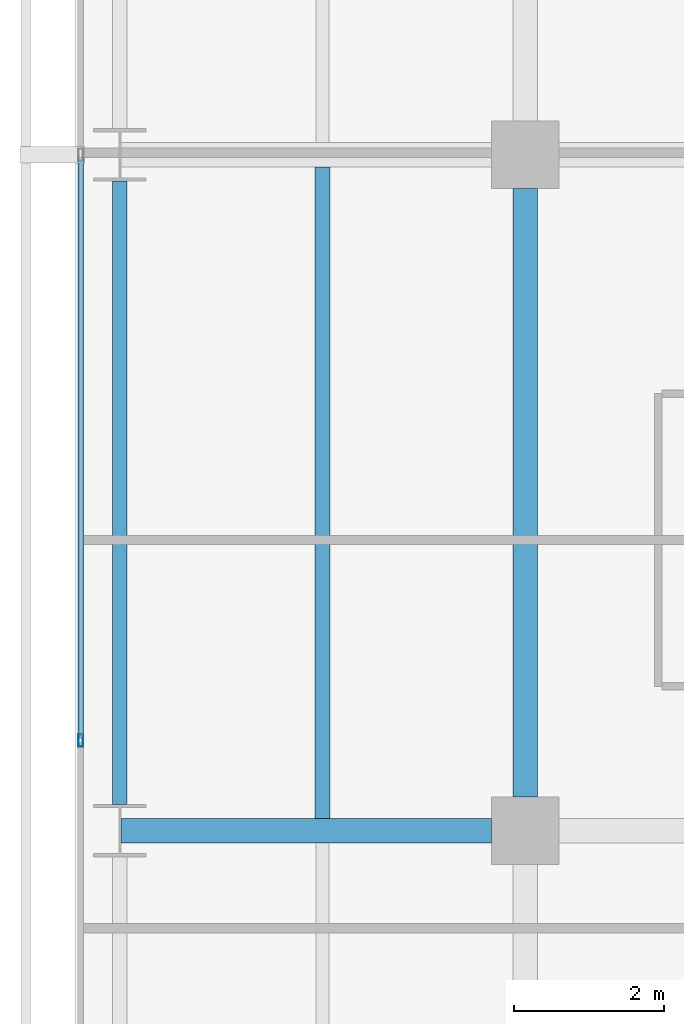
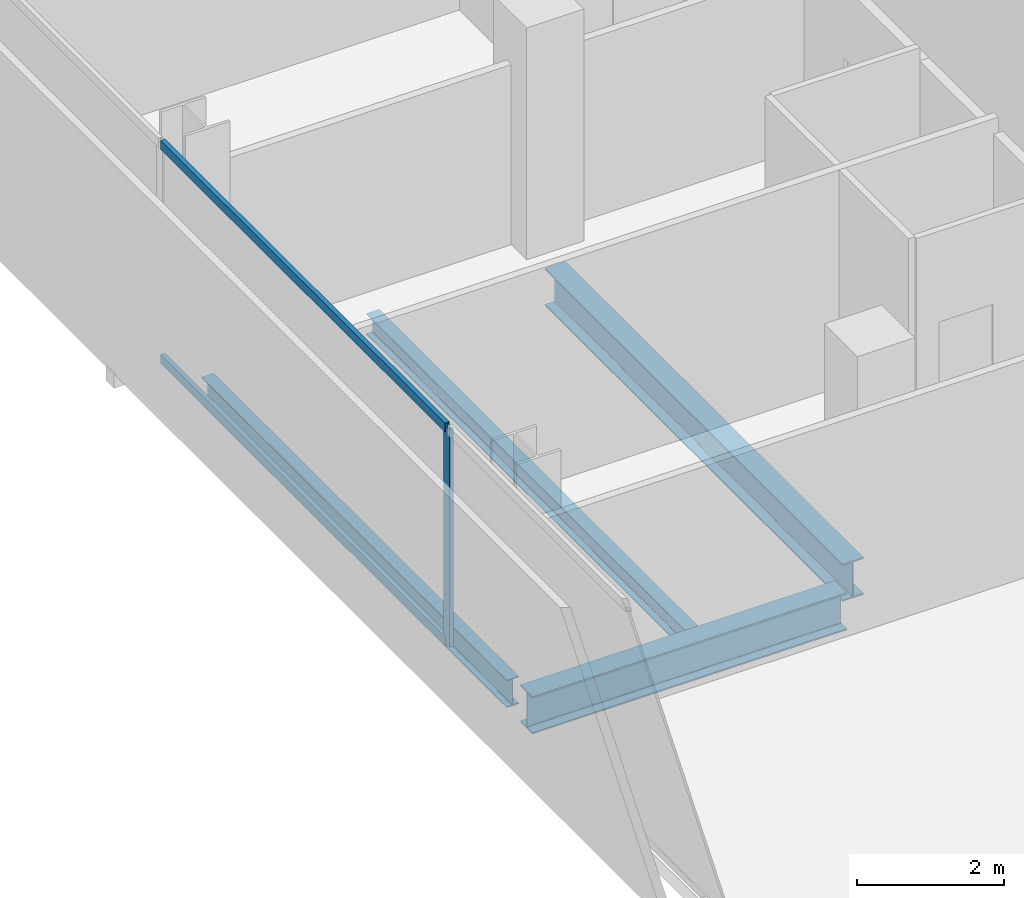
# One storey, part 10 of 40: 4 beams, 3 members, 1 element without a shape of its own.
"""IFC4 building model written with IfcOpenShell, lengths in metres."""

from ifc_helpers import new_model, si_unit, direction, frame, origin, origin_2d, place, context, subcontext, project, spatial, hollow_rectangle, i_section, extrude, material, layer, layer_set, material_profile, profile_set, type_object, element, aggregate, save


model = new_model("IFC4")

# Units and contexts
model_context = context("Model", 3, precision=1e-05, world=origin(), true_north=direction((0.0, 1.0)))
body_context = subcontext(model_context, "Body", "Model", "MODEL_VIEW")
ifc_project = project(units=[si_unit("LENGTHUNIT", "METRE"), si_unit("AREAUNIT", "SQUARE_METRE"), si_unit("VOLUMEUNIT", "CUBIC_METRE"), si_unit("PLANEANGLEUNIT", "RADIAN"), si_unit("MASSUNIT", "GRAM", prefix="KILO")], contexts=[model_context])

# Site, building, storey
site_placement = place(None, origin())
site = spatial("IfcSite", under=ifc_project, at=site_placement, CompositionType="ELEMENT")
building_placement = place(site_placement, origin())
building = spatial("IfcBuilding", under=site, at=building_placement, Name="Maruvema Waterfront Hotel and Observation Tower", CompositionType="ELEMENT")
storey_placement = place(building_placement, frame((0.0, 0.0, 42.35009765625)))
storey = spatial("IfcBuildingStorey", under=building, at=storey_placement, Name="L09", CompositionType="ELEMENT", Elevation=42.35009765625)

# Curtain wall, members
ifc_material_1 = material(Name="Anodised bronze aluminium and solar-control low-E IGU", Category="aluminium")
ifc_layer = layer(ifc_material_1, 0.159912109375, Name="Zone 1 Bronze Inner Thermal Curtain Wall System CW-02")
ifc_layer_set = layer_set([ifc_layer], Name="Anodised bronze aluminium and solar-control low-E IGU")
curtain_wall_type = type_object("IfcCurtainWallType", Name="Zone 1 Bronze Inner Thermal Curtain Wall System CW-02", PredefinedType="USERDEFINED", material=ifc_layer_set)
curtain_wall_placement = place(storey_placement, origin())
curtain_wall = element("IfcCurtainWall", 1, at=curtain_wall_placement, inside=storey, type_object=curtain_wall_type, Name="L09 Curtain Wall CW-L09-W", ObjectType="UNITISED CURTAIN WALL", PredefinedType="USERDEFINED")
ifc_material_2 = material(Name="Anodised architectural bronze aluminium", Category="aluminium")
ifc_material_profile_1 = material_profile(ifc_material_2, hollow_rectangle(XDim=0.070068359375, YDim=0.14990234375, WallThickness=0.00390625, at=origin_2d()), Name="ALU-T70x150")
ifc_profile_set_1 = profile_set([ifc_material_profile_1], Name="Anodised architectural bronze aluminium")
member_type_1 = type_object("IfcMemberType", Name="Curtain Wall Horizontal Transom ALU-T70x150", PredefinedType="USERDEFINED", material=ifc_profile_set_1)
member_1_placement = place(storey_placement, frame((10.8798828125, 26.969970703125, 0.02978515625), z_axis=(0.0, -1.0, 0.0), x_axis=(1.0, 0.0, 0.0)))
member_1 = element("IfcMember", 2, at=member_1_placement, type_object=member_type_1, Name="CW-02 transom 4.1", ObjectType="TRANSOM", PredefinedType="USERDEFINED", context=body_context, shape_type="SweptSolid", body=[
    extrude(hollow_rectangle(XDim=0.070068359375, YDim=0.14990234375, WallThickness=0.00390625, at=origin_2d()), origin(), (0.0, 0.0, 1.0), 7.739990234375),
])
member_2_placement = place(storey_placement, frame((10.8798828125, 26.969970703125, 3.579833984375), z_axis=(0.0, -1.0, 0.0), x_axis=(1.0, 0.0, 0.0)))
member_2 = element("IfcMember", 3, at=member_2_placement, type_object=member_type_1, Name="CW-02 transom 4.2", ObjectType="TRANSOM", PredefinedType="USERDEFINED", context=body_context, shape_type="SweptSolid", body=[
    extrude(hollow_rectangle(XDim=0.070068359375, YDim=0.14990234375, WallThickness=0.00390625, at=origin_2d()), origin(), (0.0, 0.0, 1.0), 7.739990234375),
])
ifc_material_3 = material(Name="Anodised architectural bronze aluminium", Category="aluminium")
ifc_material_profile_2 = material_profile(ifc_material_3, hollow_rectangle(XDim=0.06494140625, YDim=0.1650390625, WallThickness=0.00390625, at=origin_2d()), Name="ALU-M65x165")
ifc_profile_set_2 = profile_set([ifc_material_profile_2], Name="Anodised architectural bronze aluminium")
member_type_2 = type_object("IfcMemberType", Name="Curtain Wall Primary Mullion ALU-M65x165", PredefinedType="MULLION", material=ifc_profile_set_2)
member_3_placement = place(storey_placement, frame((10.8798828125, 19.199951171875, 0.0), z_axis=(0.0, 0.0, 1.0), x_axis=(1.0, 0.0, 0.0)))
member_3 = element("IfcMember", 4, at=member_3_placement, type_object=member_type_2, Name="CW-02 mullion 5", PredefinedType="MULLION", context=body_context, shape_type="SweptSolid", body=[
    extrude(hollow_rectangle(XDim=0.06494140625, YDim=0.1650390625, WallThickness=0.00390625, at=origin_2d()), origin(), (0.0, 0.0, 1.0), 3.60986328125),
])
aggregate(curtain_wall, [member_3, member_1, member_2])

# Beams
ifc_material_4 = material(Name="Steel ASTM A572 Grade 50", Category="steel")
ifc_material_profile_3 = material_profile(ifc_material_4, i_section(OverallWidth=0.18994140625, OverallDepth=0.45703125, WebThickness=0.009033203125, FlangeThickness=0.014404296875, FilletRadius=0.014892578125, at=origin_2d()), Name="W460x74.0")
ifc_profile_set_3 = profile_set([ifc_material_profile_3], Name="Steel ASTM A572 Grade 50")
beam_type_1 = type_object("IfcBeamType", Name="Perimeter Spandrel Beam W460x74.0", PredefinedType="SPANDREL", material=ifc_profile_set_3)
beam_1_placement = place(storey_placement, frame((11.39990234375, 18.35009765625, -0.468505859375), z_axis=(0.0, 1.0, 0.0), x_axis=(-1.0, 0.0, 0.0)))
element("IfcBeam", 5, at=beam_1_placement, inside=storey, type_object=beam_type_1, Name="L09 Floor Girder NS-02", PredefinedType="SPANDREL", context=body_context, shape_type="SweptSolid", body=[
    extrude(i_section(OverallWidth=0.18994140625, OverallDepth=0.45703125, WebThickness=0.009033203125, FlangeThickness=0.014404296875, FilletRadius=0.014892578125, at=origin_2d()), origin(), (0.0, 0.0, 1.0), 8.2998046875),
])
ifc_material_5 = material(Name="Steel ASTM A572 Grade 50", Category="steel")
ifc_material_profile_4 = material_profile(ifc_material_5, i_section(OverallWidth=0.326904296875, OverallDepth=0.6220703125, WebThickness=0.015380859375, FlangeThickness=0.0244140625, FilletRadius=0.01806640625, at=origin_2d()), Name="W610x195.0")
ifc_profile_set_4 = profile_set([ifc_material_profile_4], Name="Steel ASTM A572 Grade 50")
beam_type_2 = type_object("IfcBeamType", Name="Primary Floor Girder W610x195.0", PredefinedType="BEAM", material=ifc_profile_set_4)
beam_2_placement = place(storey_placement, frame((11.4140625, 18.0, -0.551025390625), z_axis=(1.0, 0.0, 0.0), x_axis=(0.0, 1.0, 0.0)))
element("IfcBeam", 6, at=beam_2_placement, inside=storey, type_object=beam_type_2, Name="L09 Floor Girder EW-13", PredefinedType="BEAM", context=body_context, shape_type="SweptSolid", body=[
    extrude(i_section(OverallWidth=0.326904296875, OverallDepth=0.6220703125, WebThickness=0.015380859375, FlangeThickness=0.0244140625, FilletRadius=0.01806640625, at=origin_2d()), origin(), (0.0, 0.0, 1.0), 4.93603515625),
])
beam_3_placement = place(storey_placement, frame((16.800048828125, 18.449951171875, -0.551025390625), z_axis=(0.0, 1.0, 0.0), x_axis=(-1.0, 0.0, 0.0)))
element("IfcBeam", 7, at=beam_3_placement, inside=storey, type_object=beam_type_2, Name="L09 Floor Girder NS-07", PredefinedType="BEAM", context=body_context, shape_type="SweptSolid", body=[
    extrude(i_section(OverallWidth=0.326904296875, OverallDepth=0.6220703125, WebThickness=0.015380859375, FlangeThickness=0.0244140625, FilletRadius=0.01806640625, at=origin_2d()), origin(), (0.0, 0.0, 1.0), 8.10009765625),
])
ifc_material_6 = material(Name="Steel ASTM A572 Grade 50", Category="steel")
ifc_material_profile_5 = material_profile(ifc_material_6, i_section(OverallWidth=0.202880859375, OverallDepth=0.346923828125, WebThickness=0.0078125, FlangeThickness=0.013427734375, FilletRadius=0.014892578125, at=origin_2d()), Name="W360x64.0")
ifc_profile_set_5 = profile_set([ifc_material_profile_5], Name="Steel ASTM A572 Grade 50")
beam_type_3 = type_object("IfcBeamType", Name="Secondary Floor Joist W360x64.0", PredefinedType="JOIST", material=ifc_profile_set_5)
beam_4_placement = place(storey_placement, frame((14.10009765625, 18.16357421875, -0.41357421875), z_axis=(0.0, 1.0, 0.0), x_axis=(-1.0, 0.0, 0.0)))
element("IfcBeam", 8, at=beam_4_placement, inside=storey, type_object=beam_type_3, Name="L09 Secondary Floor Joist JS-02", PredefinedType="JOIST", context=body_context, shape_type="SweptSolid", body=[
    extrude(i_section(OverallWidth=0.202880859375, OverallDepth=0.346923828125, WebThickness=0.0078125, FlangeThickness=0.013427734375, FilletRadius=0.014892578125, at=origin_2d()), origin(), (0.0, 0.0, 1.0), 8.6728515625),
])

save(model, "model.ifc")
